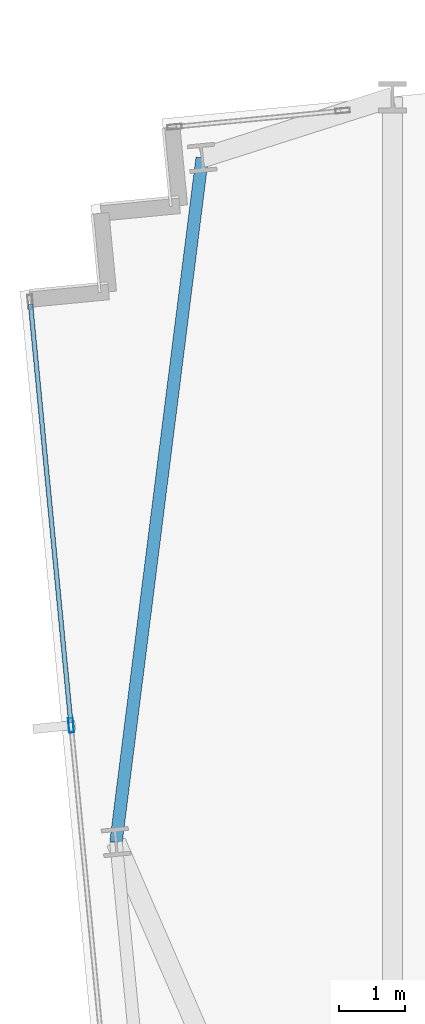
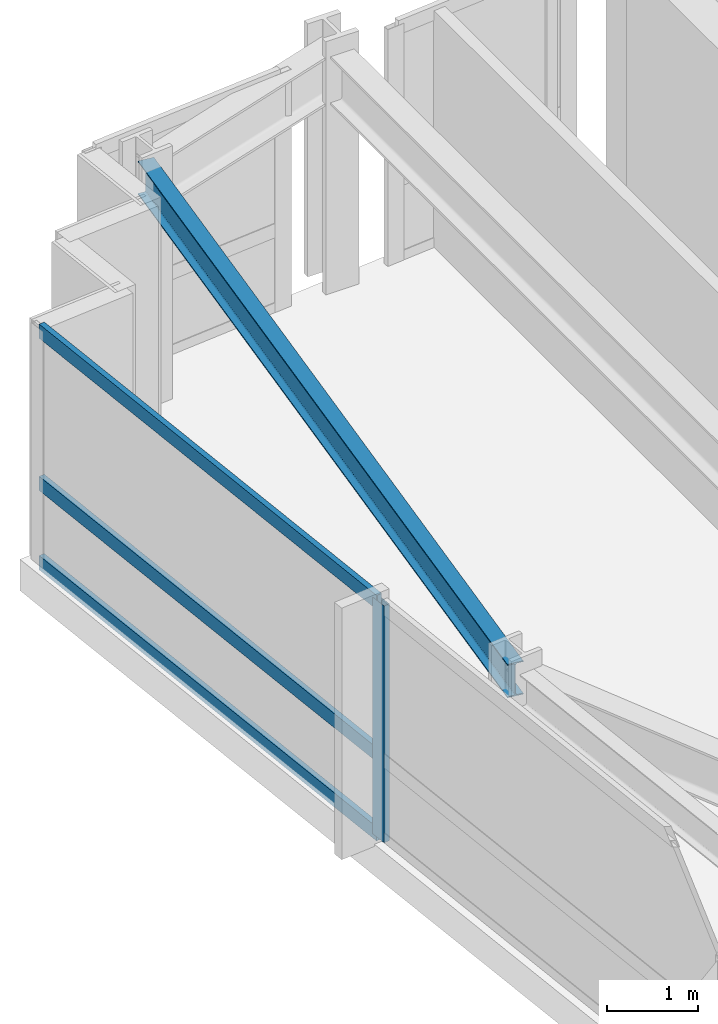
# One storey, part 9 of 33: 4 members, 1 beam, 1 element without a shape of its own.
"""IFC4 building model written with IfcOpenShell, lengths in metres."""

import ifcopenshell
import ifcopenshell.guid

model = None  # the IFC model being written
_history = None  # IfcOwnerHistory: only IFC2X3 demands one
_inside = {}  # id of a spatial element -> (the spatial element, [elements in it])
_under = {}  # id of a project, library or spatial element -> (it, [spatial elements below it])
_declared = {}  # id of a project -> (the project, [libraries it declares])
_typed = {}  # id of a type object -> (the type object, [elements of that type])
_made_of = {}  # id of a material, layer set ... -> (it, [elements and type objects made of it])


def new_model(schema):
    """Start an empty IFC model of exactly this schema.

    Asked for "IFC4X3", IfcOpenShell would pick the latest addendum, in which some entities
    have other attributes; the version numbers below select the first issue.
    IFC2X3 requires an IfcOwnerHistory on every rooted entity: one is made here for all.
    """
    global model, _history
    if schema == "IFC4X3":
        model = ifcopenshell.file(schema_version=(4, 3, 0, 0))
    else:
        model = ifcopenshell.file(schema=schema)
    _inside.clear()
    _under.clear()
    _declared.clear()
    _typed.clear()
    _made_of.clear()
    _history = None
    if model.schema == "IFC2X3":
        org = make("IfcOrganization", Name="unknown")
        user = make(
            "IfcPersonAndOrganization",
            ThePerson=make("IfcPerson", FamilyName="unknown"),
            TheOrganization=org,
        )
        app = make(
            "IfcApplication",
            ApplicationDeveloper=org,
            Version="unknown",
            ApplicationFullName="unknown",
            ApplicationIdentifier="unknown",
        )
        _history = make(
            "IfcOwnerHistory",
            OwningUser=user,
            OwningApplication=app,
            ChangeAction="ADDED",
            CreationDate=0,
        )
    return model


def make(cls, **values):
    """One entity of the class cls with the attributes given. An attribute that is None is left unset."""
    return model.create_entity(
        cls, **{name: value for name, value in values.items() if value is not None}
    )


def rooted(cls, **values):
    """An entity with a GlobalId (a new one), such as an element, a storey or a relation."""
    return make(cls, GlobalId=ifcopenshell.guid.new(), OwnerHistory=_history, **values)


def si_unit(unit_type, name, prefix=None):
    """IfcSIUnit, for example si_unit("LENGTHUNIT", "METRE", prefix="MILLI")."""
    return make("IfcSIUnit", UnitType=unit_type, Prefix=prefix, Name=name)


def assignment(units):
    """IfcUnitAssignment: the units of a project."""
    return None if units is None else make("IfcUnitAssignment", Units=units)


def point(xyz):
    """IfcCartesianPoint."""
    return None if xyz is None else make("IfcCartesianPoint", Coordinates=xyz)


def direction(xyz):
    """IfcDirection."""
    return None if xyz is None else make("IfcDirection", DirectionRatios=xyz)


def frame(location, z_axis=None, x_axis=None):
    """IfcAxis2Placement3D, a coordinate frame: its origin and axes. An axis left out is left unset."""
    return make(
        "IfcAxis2Placement3D",
        Location=point(location),
        Axis=direction(z_axis),
        RefDirection=direction(x_axis),
    )


def frame_2d(location, x_axis=None):
    """IfcAxis2Placement2D, a coordinate frame in the plane: its origin and x axis."""
    return make(
        "IfcAxis2Placement2D", Location=point(location), RefDirection=direction(x_axis)
    )


def origin():
    """The frame at (0, 0, 0) with its axes left unset."""
    return frame((0.0, 0.0, 0.0))


def origin_2d():
    """The frame at (0, 0) in the plane with its x axis left unset."""
    return frame_2d((0.0, 0.0))


def place(relative_to, where):
    """IfcLocalPlacement: puts the frame where relative to a parent placement (None: the world)."""
    return make(
        "IfcLocalPlacement", PlacementRelTo=relative_to, RelativePlacement=where
    )


def context(
    kind, dimensions, precision=None, world=None, true_north=None, identifier=None
):
    """IfcGeometricRepresentationContext, for example the 3D "Model" context."""
    return make(
        "IfcGeometricRepresentationContext",
        ContextIdentifier=identifier,
        ContextType=kind,
        CoordinateSpaceDimension=dimensions,
        Precision=precision,
        WorldCoordinateSystem=world,
        TrueNorth=true_north,
    )


def subcontext(parent, identifier, kind, view, scale=None):
    """IfcGeometricRepresentationSubContext, for example "Body" below "Model"."""
    return make(
        "IfcGeometricRepresentationSubContext",
        ContextIdentifier=identifier,
        ContextType=kind,
        ParentContext=parent,
        TargetScale=scale,
        TargetView=view,
    )


def project(units=None, contexts=None):
    """IfcProject with its units and contexts."""
    return rooted(
        "IfcProject",
        Name="project",
        RepresentationContexts=contexts,
        UnitsInContext=assignment(units),
    )


def spatial(cls, under=None, at=None, **own):
    """A site, building, storey or space (cls), placed at a placement, below another one or the project."""
    s = rooted(cls, ObjectPlacement=at, **own)
    if under is not None:
        _under.setdefault(under.id(), (under, []))[1].append(s)
    return s


def profile(cls, at=None, kind="AREA", **sizes):
    """A parametric profile (cls). Its sizes go by their IFC names, for example OverallWidth=200.0."""
    return make(cls, ProfileType=kind, Position=at, **sizes)


def hollow_rectangle(**sizes):
    """IfcRectangleHollowProfileDef."""
    return profile("IfcRectangleHollowProfileDef", **sizes)


def i_section(**sizes):
    """IfcIShapeProfileDef."""
    return profile("IfcIShapeProfileDef", **sizes)


def extrude(swept, where, along, depth):
    """IfcExtrudedAreaSolid: the profile swept, set in the frame where, extruded along a direction by depth."""
    return make(
        "IfcExtrudedAreaSolid",
        SweptArea=swept,
        Position=where,
        ExtrudedDirection=direction(along),
        Depth=depth,
    )


def shape(context_of_items, identifier, shape_type, items):
    """IfcShapeRepresentation: the items that make up one representation, for example the "Body"."""
    return make(
        "IfcShapeRepresentation",
        ContextOfItems=context_of_items,
        RepresentationIdentifier=identifier,
        RepresentationType=shape_type,
        Items=items,
    )


def material(Name=None, Category=None):
    """IfcMaterial."""
    return make("IfcMaterial", Name=Name, Category=Category)


def material_profile(
    of_material, cross_section, Name=None, Category=None, Priority=None
):
    """IfcMaterialProfile: a cross section and its material."""
    return make(
        "IfcMaterialProfile",
        Name=Name,
        Material=of_material,
        Profile=cross_section,
        Priority=Priority,
        Category=Category,
    )


def profile_set(profiles, Name=None, composite=None):
    """IfcMaterialProfileSet."""
    return make(
        "IfcMaterialProfileSet",
        Name=Name,
        MaterialProfiles=profiles,
        CompositeProfile=composite,
    )


def made_of(thing, what):
    """Note that an element or type object is made of a material, layer set ...; save() writes the relation."""
    if what is not None:
        _made_of.setdefault(what.id(), (what, []))[1].append(thing)
    return thing


def type_object(cls, material=None, **own):
    """A type object (cls), such as IfcWallType, which elements share."""
    return made_of(rooted(cls, **own), material)


def element(
    cls,
    number,
    at=None,
    inside=None,
    cuts=None,
    type_object=None,
    material=None,
    context=None,
    identifier="Body",
    shape_type=None,
    held_by="IfcProductDefinitionShape",
    body=None,
    shapes=None,
    **own,
):
    """One element of the class cls, such as IfcWall. Its Tag is "e" and its number.

    at: its placement. inside: the storey or other place that contains it. cuts: it is an
    opening in that element (IfcRelVoidsElement). A single representation is given by context,
    identifier, shape_type and body (its items); several are given by shapes. held_by: the class
    of the entity that holds the representations. save() writes the other relations.
    """
    e = rooted(cls, Tag="e%d" % number, ObjectPlacement=at, **own)
    if body is not None:
        shapes = [shape(context, identifier, shape_type, body)]
    if shapes is not None:
        e.Representation = make(held_by, Representations=shapes)
    if inside is not None:
        _inside.setdefault(inside.id(), (inside, []))[1].append(e)
    if cuts is not None:
        rooted(
            "IfcRelVoidsElement", RelatingBuildingElement=cuts, RelatedOpeningElement=e
        )
    if type_object is not None:
        _typed.setdefault(type_object.id(), (type_object, []))[1].append(e)
    return made_of(e, material)


def aggregate(whole, parts):
    """IfcRelAggregates: a whole, such as a stair, and the parts it consists of."""
    return rooted("IfcRelAggregates", RelatingObject=whole, RelatedObjects=parts)


def save(model, path):
    """Write the relations noted so far, then the file.

    IfcRelAggregates (storeys below a building ...), IfcRelContainedInSpatialStructure (elements
    in a storey), IfcRelDefinesByType, IfcRelAssociatesMaterial and IfcRelDeclares: one each for
    every whole, place, type object, material and project.
    """
    for whole, parts in _under.values():
        aggregate(whole, parts)
    for where, things in _inside.values():
        rooted(
            "IfcRelContainedInSpatialStructure",
            RelatedElements=things,
            RelatingStructure=where,
        )
    for kind, things in _typed.values():
        rooted("IfcRelDefinesByType", RelatedObjects=things, RelatingType=kind)
    for what, things in _made_of.values():
        rooted("IfcRelAssociatesMaterial", RelatedObjects=things, RelatingMaterial=what)
    for by, libraries in _declared.values():
        rooted("IfcRelDeclares", RelatingContext=by, RelatedDefinitions=libraries)
    model.write(path)


model = new_model("IFC4")

# Units and contexts
model_context = context("Model", 3, precision=1e-05, world=origin(), true_north=direction((0.0, 1.0)))
body_context = subcontext(model_context, "Body", "Model", "MODEL_VIEW")
ifc_project = project(units=[si_unit("LENGTHUNIT", "METRE"), si_unit("AREAUNIT", "SQUARE_METRE"), si_unit("VOLUMEUNIT", "CUBIC_METRE"), si_unit("PLANEANGLEUNIT", "RADIAN"), si_unit("MASSUNIT", "GRAM", prefix="KILO")], contexts=[model_context])

# Site, building, storey
site_placement = place(None, origin())
site = spatial("IfcSite", under=ifc_project, at=site_placement, CompositionType="ELEMENT")
building_placement = place(site_placement, origin())
building = spatial("IfcBuilding", under=site, at=building_placement, Name="Yelkora Congress Tower", CompositionType="ELEMENT")
storey_placement = place(building_placement, frame((0.0, 0.0, 89.699951171875)))
storey = spatial("IfcBuildingStorey", under=building, at=storey_placement, Name="L23", CompositionType="ELEMENT", Elevation=89.699951171875)

# Beam
ifc_material_1 = material(Name="Steel S355J2", Category="steel")
ifc_material_profile_1 = material_profile(ifc_material_1, i_section(OverallWidth=0.18994140625, OverallDepth=0.449951171875, WebThickness=0.009521484375, FlangeThickness=0.0146484375, FilletRadius=0.02099609375, at=origin_2d()), Name="IPE 450")
ifc_profile_set_1 = profile_set([ifc_material_profile_1], Name="Steel S355J2")
beam_type = type_object("IfcBeamType", Name="BM-SPAN-IPE450", PredefinedType="SPANDREL", material=ifc_profile_set_1)
beam_placement = place(storey_placement, frame((16.306884765625, 45.27734375, 2.955078125), z_axis=(-0.124952129665, -0.992162771571, 0.0), x_axis=(0.992162771571, -0.124952129665, 0.0)))
element("IfcBeam", 1, at=beam_placement, inside=storey, type_object=beam_type, Name="L23 Perimeter Beam 18", PredefinedType="SPANDREL", context=body_context, shape_type="SweptSolid", body=[
    extrude(i_section(OverallWidth=0.18994140625, OverallDepth=0.449951171875, WebThickness=0.009521484375, FlangeThickness=0.0146484375, FilletRadius=0.02099609375, at=origin_2d()), origin(), (0.0, 0.0, 1.0), 10.48046875),
])

# Curtain wall, members
ifc_material_2 = material(Name="Anodised aluminium and insulated glass", Category="aluminium")
curtain_wall_type = type_object("IfcCurtainWallType", Name="CW-SYS-SKY", PredefinedType="NOTDEFINED", material=ifc_material_2)
curtain_wall_placement = place(storey_placement, origin())
curtain_wall = element("IfcCurtainWall", 2, at=curtain_wall_placement, inside=storey, type_object=curtain_wall_type, Name="L23 Unitised Curtain Wall 5", PredefinedType="NOTDEFINED")
ifc_material_3 = material(Name="Anodised aluminium 6063-T6", Category="aluminium")
ifc_material_profile_2 = material_profile(ifc_material_3, hollow_rectangle(XDim=0.074951171875, YDim=0.219970703125, WallThickness=0.0048828125, at=origin_2d()), Name="ALU 75x220x5")
ifc_profile_set_2 = profile_set([ifc_material_profile_2], Name="Anodised aluminium 6063-T6")
member_type_1 = type_object("IfcMemberType", Name="MEM-ML-SKY", PredefinedType="MULLION", material=ifc_profile_set_2)
member_1_placement = place(storey_placement, frame((14.314208984375, 36.652587890625, 0.0), z_axis=(0.0, 0.0, 1.0), x_axis=(-0.995396507508, -0.095842541913, 0.0)))
member_1 = element("IfcMember", 3, at=member_1_placement, type_object=member_type_1, Name="CW-SKY mullion 5", PredefinedType="MULLION", context=body_context, shape_type="SweptSolid", body=[
    extrude(hollow_rectangle(XDim=0.074951171875, YDim=0.219970703125, WallThickness=0.0048828125, at=origin_2d()), origin(), (0.0, 0.0, 1.0), 3.179931640625),
])
ifc_material_profile_3 = material_profile(ifc_material_3, hollow_rectangle(XDim=0.070068359375, YDim=0.18994140625, WallThickness=0.00390625, at=origin_2d()), Name="ALU 70x190x4")
ifc_profile_set_3 = profile_set([ifc_material_profile_3], Name="Anodised aluminium 6063-T6")
member_type_2 = type_object("IfcMemberType", Name="MEM-TR-SKY", PredefinedType="USERDEFINED", material=ifc_profile_set_3)
member_2_placement = place(storey_placement, frame((14.310546875, 36.68994140625, 0.03515625), z_axis=(-0.095838322904, 0.99539691373, 0.0), x_axis=(-0.99539691373, -0.095838322904, 0.0)))
member_2 = element("IfcMember", 4, at=member_2_placement, type_object=member_type_2, Name="CW-SKY transom 5.1", ObjectType="TRANSOM", PredefinedType="USERDEFINED", context=body_context, shape_type="SweptSolid", body=[
    extrude(hollow_rectangle(XDim=0.070068359375, YDim=0.18994140625, WallThickness=0.00390625, at=origin_2d()), origin(), (0.0, 0.0, 1.0), 6.3916015625),
])
member_3_placement = place(storey_placement, frame((14.310546875, 36.68994140625, 1.10009765625), z_axis=(-0.095838322904, 0.99539691373, 0.0), x_axis=(-0.99539691373, -0.095838322904, 0.0)))
member_3 = element("IfcMember", 5, at=member_3_placement, type_object=member_type_2, Name="CW-SKY transom 5.2", ObjectType="TRANSOM", PredefinedType="USERDEFINED", context=body_context, shape_type="SweptSolid", body=[
    extrude(hollow_rectangle(XDim=0.070068359375, YDim=0.18994140625, WallThickness=0.00390625, at=origin_2d()), origin(), (0.0, 0.0, 1.0), 6.3916015625),
])
member_4_placement = place(storey_placement, frame((14.310546875, 36.68994140625, 3.14501953125), z_axis=(-0.095838322904, 0.99539691373, 0.0), x_axis=(-0.99539691373, -0.095838322904, 0.0)))
member_4 = element("IfcMember", 6, at=member_4_placement, type_object=member_type_2, Name="CW-SKY transom 5.3", ObjectType="TRANSOM", PredefinedType="USERDEFINED", context=body_context, shape_type="SweptSolid", body=[
    extrude(hollow_rectangle(XDim=0.070068359375, YDim=0.18994140625, WallThickness=0.00390625, at=origin_2d()), origin(), (0.0, 0.0, 1.0), 6.3916015625),
])
aggregate(curtain_wall, [member_1, member_2, member_3, member_4])

save(model, "model.ifc")
